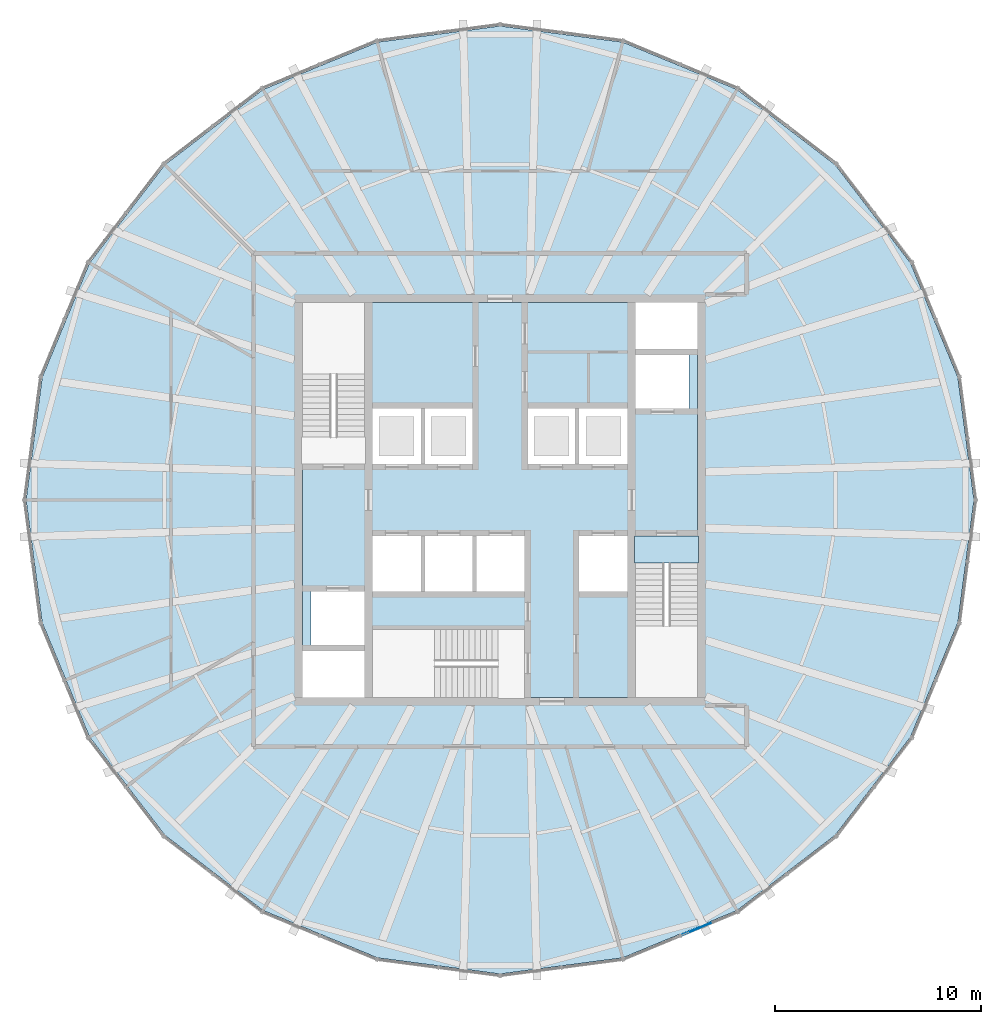
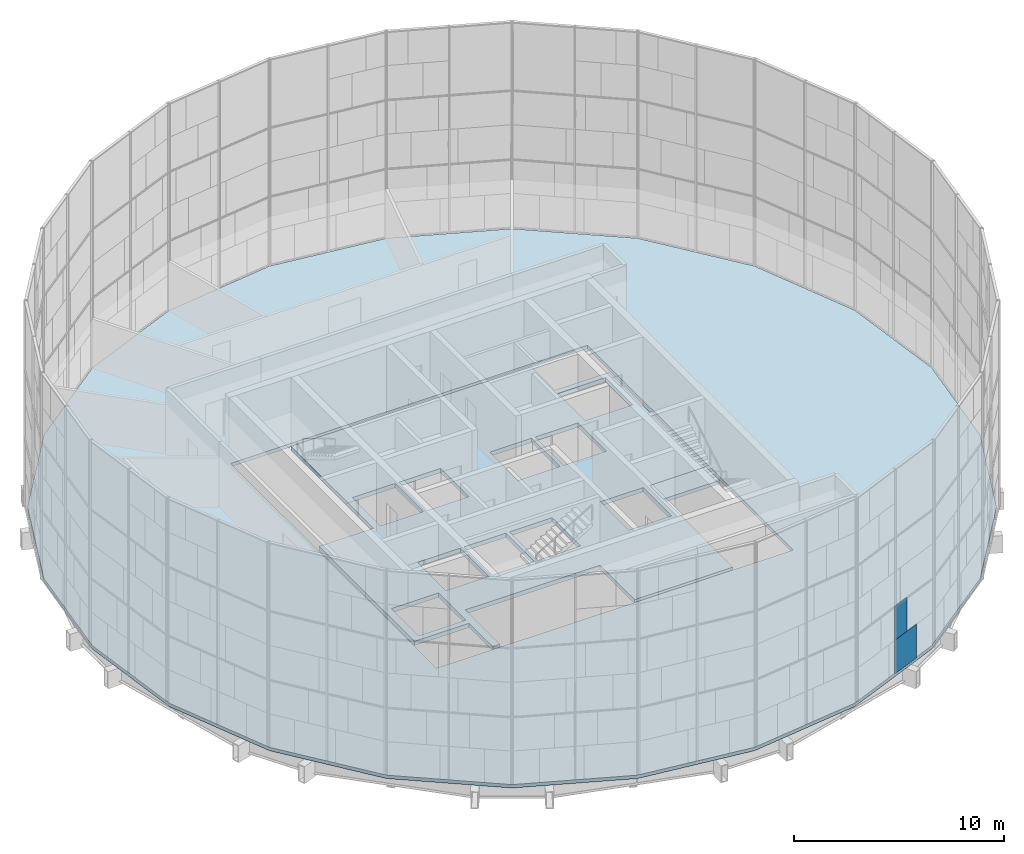
# One storey, part 13 of 23: 3 slabs, 2 plates, 1 element without a shape of its own.
"""IFC4 building model written with IfcOpenShell, lengths in metres."""

from ifc_helpers import new_model, si_unit, direction, frame, origin, origin_2d, place, context, subcontext, project, spatial, polyline, rectangle, outline, extrude, material, layer, layer_set, type_object, element, aggregate, save


model = new_model("IFC4")

# Units and contexts
model_context = context("Model", 3, precision=1e-05, world=origin(), true_north=direction((0.0, 1.0)))
body_context = subcontext(model_context, "Body", "Model", "MODEL_VIEW")
ifc_project = project(units=[si_unit("LENGTHUNIT", "METRE"), si_unit("AREAUNIT", "SQUARE_METRE"), si_unit("VOLUMEUNIT", "CUBIC_METRE"), si_unit("PLANEANGLEUNIT", "RADIAN"), si_unit("MASSUNIT", "GRAM", prefix="KILO")], contexts=[model_context])

# Site, building, storey
site_placement = place(None, origin())
site = spatial("IfcSite", under=ifc_project, at=site_placement, CompositionType="ELEMENT")
building_placement = place(site_placement, origin())
building = spatial("IfcBuilding", under=site, at=building_placement, Name="Golbaran Civic Tower", CompositionType="ELEMENT")
storey_placement = place(building_placement, frame((0.0, 0.0, 220.0)))
storey = spatial("IfcBuildingStorey", under=building, at=storey_placement, Name="L53", CompositionType="ELEMENT", Elevation=220.0)

# Slabs
ifc_material_1 = material(Name="Concrete LC30/33 lightweight on steel deck", Category="concrete")
ifc_layer_1 = layer(ifc_material_1, 0.199951171875, Name="Concrete LC30/33 lightweight on steel deck")
ifc_layer_set_1 = layer_set([ifc_layer_1], Name="Concrete LC30/33 lightweight on steel deck")
slab_type_1 = type_object("IfcSlabType", Name="COMPOSITE FLOOR SLAB 200", PredefinedType="FLOOR", material=ifc_layer_set_1)
slab_1_placement = place(storey_placement, frame((0.0, 0.0, -0.199951171875)))
element("IfcSlab", 1, at=slab_1_placement, inside=storey, type_object=slab_type_1, Name="Floor slab L53", PredefinedType="FLOOR", context=body_context, shape_type="SweptSolid", body=[
    extrude(outline(polyline([(19.96484375, -11.526611328125), (16.30126953125, -16.30126953125), (11.526611328125, -19.96484375), (5.966552734375, -22.267822265625), (0.0, -23.05322265625), (-5.966552734375, -22.267822265625), (-11.526611328125, -19.96484375), (-16.30126953125, -16.30126953125), (-19.96484375, -11.526611328125), (-22.267822265625, -5.966552734375), (-23.05322265625, 0.0), (-22.267822265625, 5.966552734375), (-19.96484375, 11.526611328125), (-16.30126953125, 16.30126953125), (-11.526611328125, 19.96484375), (-5.966552734375, 22.267822265625), (0.0, 23.05322265625), (5.966552734375, 22.267822265625), (11.526611328125, 19.96484375), (16.30126953125, 16.30126953125), (19.96484375, 11.526611328125), (22.267822265625, 5.966552734375), (23.05322265625, 0.0), (22.267822265625, -5.966552734375), (19.96484375, -11.526611328125)]), holes=[polyline([(-9.800048828125, 9.800048828125), (-9.800048828125, -9.800048828125), (9.800048828125, -9.800048828125), (9.800048828125, 9.800048828125), (-9.800048828125, 9.800048828125)])]), origin(), (0.0, 0.0, 1.0), 0.199951171875),
])
ifc_material_2 = material(Name="Concrete C35/45", Category="concrete")
ifc_layer_2 = layer(ifc_material_2, 0.25, Name="Concrete C35/45")
ifc_layer_set_2 = layer_set([ifc_layer_2], Name="Concrete C35/45")
slab_type_2 = type_object("IfcSlabType", Name="CORE FLOOR SLAB 250", PredefinedType="FLOOR", material=ifc_layer_set_2)
slab_2_placement = place(storey_placement, frame((0.0, 0.0, -0.25)))
element("IfcSlab", 2, at=slab_2_placement, inside=storey, type_object=slab_type_2, Name="Core floor slab L53", PredefinedType="FLOOR", context=body_context, shape_type="SweptSolid", body=[
    extrude(outline(polyline([(6.60009765625, -1.75), (6.60009765625, -9.60009765625), (1.199951171875, -9.60009765625), (1.199951171875, -6.300048828125), (-6.199951171875, -6.300048828125), (-6.199951171875, -9.60009765625), (-6.60009765625, -9.60009765625), (-6.60009765625, -7.35009765625), (-9.60009765625, -7.35009765625), (-9.60009765625, 1.75), (-6.60009765625, 1.75), (-6.60009765625, 9.60009765625), (6.60009765625, 9.60009765625), (6.60009765625, 7.35009765625), (9.60009765625, 7.35009765625), (9.60009765625, -1.75), (6.60009765625, -1.75)]), holes=[polyline([(9.199951171875, 7.050048828125), (6.60009765625, 7.050048828125), (6.60009765625, 4.449951171875), (9.199951171875, 4.449951171875), (9.199951171875, 7.050048828125)]), polyline([(6.199951171875, -1.75), (3.85009765625, -1.75), (3.85009765625, -4.449951171875), (6.199951171875, -4.449951171875), (6.199951171875, -1.75)]), polyline([(6.199951171875, 4.449951171875), (3.85009765625, 4.449951171875), (3.85009765625, 1.75), (6.199951171875, 1.75), (6.199951171875, 4.449951171875)]), polyline([(3.64990234375, 4.449951171875), (1.35009765625, 4.449951171875), (1.35009765625, 1.75), (3.64990234375, 1.75), (3.64990234375, 4.449951171875)]), polyline([(1.199951171875, -1.75), (-1.14990234375, -1.75), (-1.14990234375, -4.449951171875), (1.199951171875, -4.449951171875), (1.199951171875, -1.75)]), polyline([(-1.35009765625, 4.449951171875), (-3.64990234375, 4.449951171875), (-3.64990234375, 1.75), (-1.35009765625, 1.75), (-1.35009765625, 4.449951171875)]), polyline([(-1.35009765625, -1.75), (-3.64990234375, -1.75), (-3.64990234375, -4.449951171875), (-1.35009765625, -4.449951171875), (-1.35009765625, -1.75)]), polyline([(-3.85009765625, -1.75), (-6.199951171875, -1.75), (-6.199951171875, -4.449951171875), (-3.85009765625, -4.449951171875), (-3.85009765625, -1.75)]), polyline([(-3.85009765625, 4.449951171875), (-6.199951171875, 4.449951171875), (-6.199951171875, 1.75), (-3.85009765625, 1.75), (-3.85009765625, 4.449951171875)]), polyline([(-6.60009765625, -4.449951171875), (-9.199951171875, -4.449951171875), (-9.199951171875, -7.050048828125), (-6.60009765625, -7.050048828125), (-6.60009765625, -4.449951171875)])]), origin(), (0.0, 0.0, 1.0), 0.25),
])

# Curtain wall, plates
ifc_material_3 = material(Name="Aluminium and glass", Category="aluminium")
curtain_wall_type = type_object("IfcCurtainWallType", Name="INNER SKIN CURTAIN WALL EXECUTIVE", PredefinedType="NOTDEFINED", material=ifc_material_3)
curtain_wall_placement = place(storey_placement, origin())
curtain_wall = element("IfcCurtainWall", 3, at=curtain_wall_placement, inside=storey, type_object=curtain_wall_type, Name="Inner skin L53 facet 20 CW2", ObjectType="INNER SKIN", PredefinedType="USERDEFINED")
ifc_material_4 = material(Name="Aluminium faced opaque infill panel", Category="aluminium")
ifc_layer_3 = layer(ifc_material_4, 0.031982421875, Name="Aluminium faced opaque infill panel")
ifc_layer_set_3 = layer_set([ifc_layer_3], Name="Aluminium faced opaque infill panel")
plate_type = type_object("IfcPlateType", Name="INNER SKIN CURTAIN WALL EXECUTIVE OPAQUE INFILL PANEL", PredefinedType="CURTAIN_PANEL", material=ifc_layer_set_3)
plate_1_placement = place(storey_placement, frame((9.57421875, -20.860107421875, 0.06005859375), z_axis=(0.0, 0.0, 1.0), x_axis=(0.923879532531, 0.382683432317, 0.0)))
plate_1 = element("IfcPlate", 4, at=plate_1_placement, type_object=plate_type, Name="CW2 infill panel 2.1 part 1", PredefinedType="CURTAIN_PANEL", context=body_context, shape_type="SweptSolid", body=[
    extrude(rectangle(XDim=1.6650390625, YDim=0.031982421875, at=origin_2d()), origin(), (0.0, 0.0, 1.0), 1.955078125),
])
plate_2_placement = place(storey_placement, frame((9.240478515625, -20.998291015625, 2.014892578125), z_axis=(0.0, 0.0, 1.0), x_axis=(0.923879532531, 0.382683432317, 0.0)))
plate_2 = element("IfcPlate", 5, at=plate_2_placement, type_object=plate_type, Name="CW2 infill panel 2.1 part 3", PredefinedType="CURTAIN_PANEL", context=body_context, shape_type="SweptSolid", body=[
    extrude(rectangle(XDim=0.943115234375, YDim=0.031982421875, at=origin_2d()), origin(), (0.0, 0.0, 1.0), 1.955078125),
])
aggregate(curtain_wall, [plate_1, plate_2])

# Slab
ifc_layer_4 = layer(ifc_material_2, 0.199951171875, Name="Concrete C35/45")
ifc_layer_set_4 = layer_set([ifc_layer_4], Name="Concrete C35/45")
slab_type_3 = type_object("IfcSlabType", Name="STAIR LANDING 200", PredefinedType="LANDING", material=ifc_layer_set_4)
slab_3_placement = place(storey_placement, frame((0.0, 0.0, -0.199951171875)))
element("IfcSlab", 6, at=slab_3_placement, inside=storey, type_object=slab_type_3, Name="Stair S2 floor landing L53", PredefinedType="LANDING", context=body_context, shape_type="SweptSolid", body=[
    extrude(outline(polyline([(9.64990234375, -1.75), (9.64990234375, -3.054931640625), (6.550048828125, -3.054931640625), (6.550048828125, -1.75), (9.64990234375, -1.75)])), origin(), (0.0, 0.0, 1.0), 0.199951171875),
])

save(model, "model.ifc")
